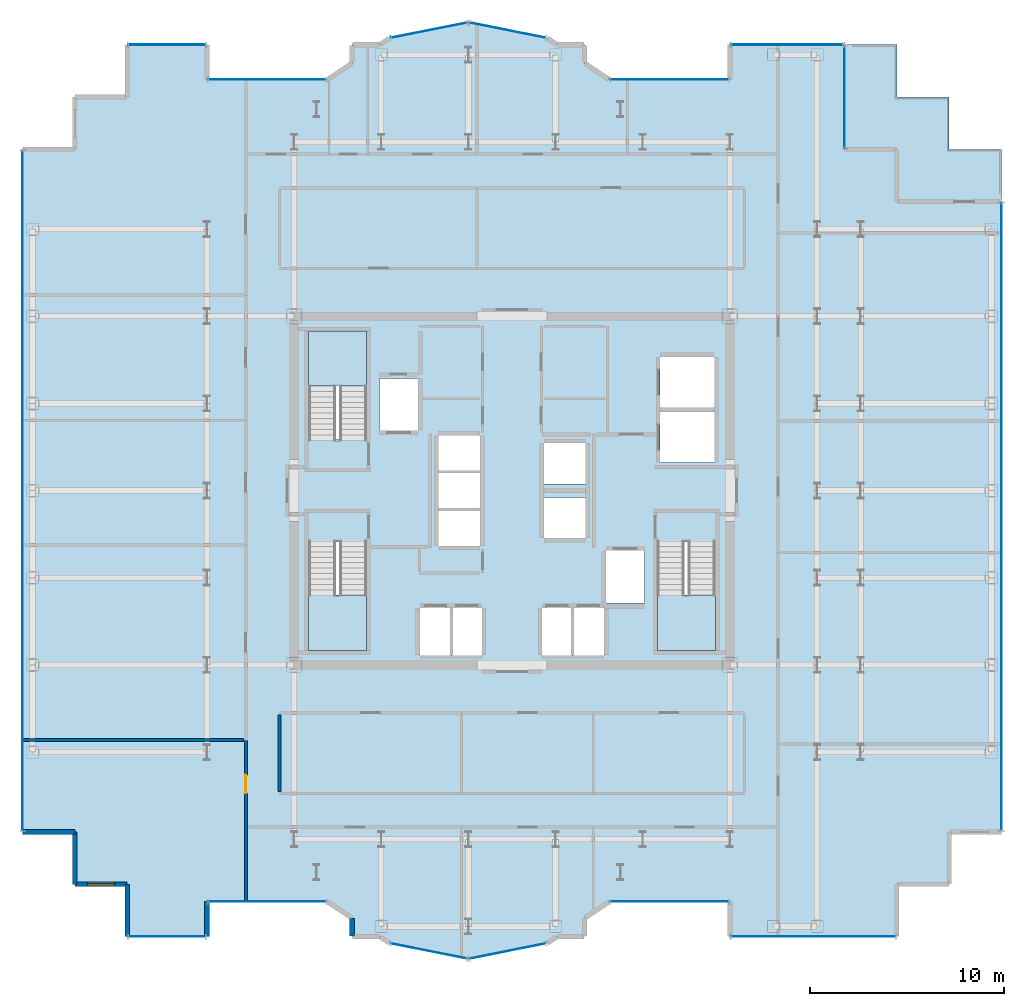
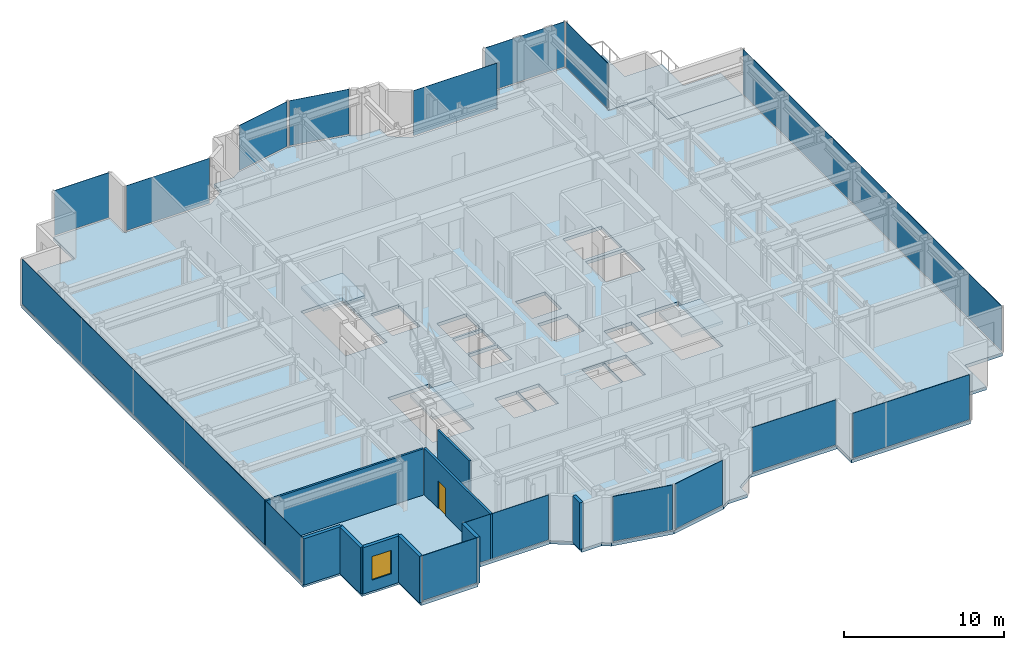
# One storey, part 13 of 20: 15 plates, 9 walls, 5 slabs, 1 door, 1 window, 2 openings, 18 elements without a shape of their own.
"""IFC4 building model written with IfcOpenShell, lengths in metres."""

from ifc_helpers import new_model, si_unit, direction, frame, frame_2d, origin, origin_2d, place, context, subcontext, project, spatial, polyline, rectangle, outline, extrude, source, transform, mapped, material, layer, layer_set, type_object, element, fill, aggregate, save


model = new_model("IFC4")

# Units and contexts
model_context = context("Model", 3, precision=1e-05, world=origin(), true_north=direction((0.0, 1.0)))
body_context = subcontext(model_context, "Body", "Model", "MODEL_VIEW")
ifc_project = project(units=[si_unit("LENGTHUNIT", "METRE"), si_unit("AREAUNIT", "SQUARE_METRE"), si_unit("VOLUMEUNIT", "CUBIC_METRE"), si_unit("PLANEANGLEUNIT", "RADIAN"), si_unit("MASSUNIT", "GRAM", prefix="KILO")], contexts=[model_context])

# Site, building, storey
site_placement = place(None, origin())
site = spatial("IfcSite", under=ifc_project, at=site_placement, CompositionType="ELEMENT")
building_placement = place(site_placement, origin())
building = spatial("IfcBuilding", under=site, at=building_placement, Name="Nefas-Gora Pilgrimage Tower", CompositionType="ELEMENT")
storey_placement = place(building_placement, frame((0.0, 0.0, 221.800048828125)))
storey = spatial("IfcBuildingStorey", under=building, at=storey_placement, Name="L55", CompositionType="ELEMENT", Elevation=221.800048828125)

# Slabs
ifc_material_1 = material(Name="Concrete C40/50", Category="concrete")
ifc_layer_1 = layer(ifc_material_1, 0.239990234375)
ifc_layer_set_1 = layer_set([ifc_layer_1], Name="Concrete C40/50")
slab_type_1 = type_object("IfcSlabType", Name="SLB-TER-SP-NE", PredefinedType="FLOOR", material=ifc_layer_set_1)
slab_1_placement = place(storey_placement, frame((0.0, 0.0, -0.239990234375)))
element("IfcSlab", 1, at=slab_1_placement, inside=storey, type_object=slab_type_1, Name="L55 Outdoor Sky Terrace Slab TER-SP-NE", PredefinedType="FLOOR", context=body_context, shape_type="SweptSolid", body=[
    extrude(outline(polyline([(17.169921875, 23.02001953125), (17.169921875, 17.6201171875), (19.8701171875, 17.6201171875), (19.8701171875, 14.919921875), (25.27001953125, 14.919921875), (25.27001953125, 17.6201171875), (22.570068359375, 17.6201171875), (22.570068359375, 20.320068359375), (19.8701171875, 20.320068359375), (19.8701171875, 23.02001953125), (17.169921875, 23.02001953125)])), origin(), (0.0, 0.0, 1.0), 0.239990234375),
])
ifc_layer_2 = layer(ifc_material_1, 0.25)
ifc_layer_set_2 = layer_set([ifc_layer_2], Name="Concrete C40/50")
slab_type_2 = type_object("IfcSlabType", Name="SLB-TWR-260", PredefinedType="FLOOR", material=ifc_layer_set_2)
slab_2_placement = place(storey_placement, frame((0.0, 0.0, -0.25)))
element("IfcSlab", 2, at=slab_2_placement, inside=storey, type_object=slab_type_2, Name="L55 Structural Floor Slab", PredefinedType="FLOOR", context=body_context, shape_type="SweptSolid", body=[
    extrude(outline(polyline([(5.01806640625, -21.219970703125), (11.25, -21.219970703125), (11.25, -23.02001953125), (19.8701171875, -23.02001953125), (19.8701171875, -20.320068359375), (22.570068359375, -20.320068359375), (22.570068359375, -17.6201171875), (25.27001953125, -17.6201171875), (25.27001953125, 14.919921875), (19.8701171875, 14.919921875), (19.8701171875, 17.6201171875), (17.169921875, 17.6201171875), (17.169921875, 23.02001953125), (11.25, 23.02001953125), (11.25, 21.219970703125), (5.01806640625, 21.219970703125), (3.75, 22.0673828125), (3.75, 23.02001953125), (2.32421875, 23.02001953125), (1.807373046875, 23.365234375), (-2.25, 24.17236328125), (-6.307373046875, 23.365234375), (-6.82421875, 23.02001953125), (-8.25, 23.02001953125), (-8.25, 22.0673828125), (-9.51806640625, 21.219970703125), (-15.75, 21.219970703125), (-15.75, 23.02001953125), (-19.8701171875, 23.02001953125), (-19.8701171875, 20.320068359375), (-22.570068359375, 20.320068359375), (-22.570068359375, 17.6201171875), (-25.27001953125, 17.6201171875), (-25.27001953125, -17.6201171875), (-22.570068359375, -17.6201171875), (-22.570068359375, -20.320068359375), (-19.8701171875, -20.320068359375), (-19.8701171875, -23.02001953125), (-15.75, -23.02001953125), (-15.75, -21.219970703125), (-9.51806640625, -21.219970703125), (-8.25, -22.0673828125), (-8.25, -23.02001953125), (-6.82421875, -23.02001953125), (-6.307373046875, -23.365234375), (-2.25, -24.17236328125), (1.807373046875, -23.365234375), (2.32421875, -23.02001953125), (3.75, -23.02001953125), (3.75, -22.0673828125), (5.01806640625, -21.219970703125)]), holes=[polyline([(-10.5, 2.639892578125), (-10.5, 8.25), (-7.5, 8.25), (-7.5, 2.639892578125), (-10.5, 2.639892578125)]), polyline([(10.5, -2.639892578125), (10.5, -8.25), (7.5, -8.25), (7.5, -2.639892578125), (10.5, -2.639892578125)]), polyline([(-7.5, -2.639892578125), (-7.5, -8.25), (-10.5, -8.25), (-10.5, -2.639892578125), (-7.5, -2.639892578125)]), polyline([(-6.85009765625, 5.800048828125), (-4.85009765625, 5.800048828125), (-4.85009765625, 3.10009765625), (-6.85009765625, 3.10009765625), (-6.85009765625, 5.800048828125)]), polyline([(4.85009765625, -3.10009765625), (6.85009765625, -3.10009765625), (6.85009765625, -5.800048828125), (4.85009765625, -5.800048828125), (4.85009765625, -3.10009765625)]), polyline([(7.64990234375, 4.050048828125), (10.449951171875, 4.050048828125), (10.449951171875, 1.449951171875), (7.64990234375, 1.449951171875), (7.64990234375, 4.050048828125)]), polyline([(7.64990234375, 6.89990234375), (10.449951171875, 6.89990234375), (10.449951171875, 4.300048828125), (7.64990234375, 4.300048828125), (7.64990234375, 6.89990234375)]), polyline([(-4.75, -6.050048828125), (-3.14990234375, -6.050048828125), (-3.14990234375, -8.5), (-4.75, -8.5), (-4.75, -6.050048828125)]), polyline([(-3.10009765625, -6.050048828125), (-1.550048828125, -6.050048828125), (-1.550048828125, -8.5), (-3.10009765625, -8.5), (-3.10009765625, -6.050048828125)]), polyline([(1.550048828125, -6.050048828125), (3.10009765625, -6.050048828125), (3.10009765625, -8.5), (1.550048828125, -8.5), (1.550048828125, -6.050048828125)]), polyline([(3.14990234375, -6.050048828125), (4.75, -6.050048828125), (4.75, -8.5), (3.14990234375, -8.5), (3.14990234375, -6.050048828125)]), polyline([(-3.800048828125, -1.050048828125), (-1.64990234375, -1.050048828125), (-1.64990234375, -2.85009765625), (-3.800048828125, -2.85009765625), (-3.800048828125, -1.050048828125)]), polyline([(-3.800048828125, 0.89990234375), (-1.64990234375, 0.89990234375), (-1.64990234375, -0.89990234375), (-3.800048828125, -0.89990234375), (-3.800048828125, 0.89990234375)]), polyline([(-3.800048828125, 2.85009765625), (-1.64990234375, 2.85009765625), (-1.64990234375, 1.050048828125), (-3.800048828125, 1.050048828125), (-3.800048828125, 2.85009765625)]), polyline([(1.64990234375, -0.35009765625), (3.800048828125, -0.35009765625), (3.800048828125, -2.449951171875), (1.64990234375, -2.449951171875), (1.64990234375, -0.35009765625)]), polyline([(1.64990234375, 2.449951171875), (3.800048828125, 2.449951171875), (3.800048828125, 0.35009765625), (1.64990234375, 0.35009765625), (1.64990234375, 2.449951171875)])]), origin(), (0.0, 0.0, 1.0), 0.25),
])

# Stair, slab
ifc_material_2 = material(Name="Concrete C45/55", Category="concrete")
stair_type = type_object("IfcStairType", Name="STR-1400-R1727", PredefinedType="HALF_TURN_STAIR", material=ifc_material_2)
stair_1_placement = place(storey_placement, origin())
stair_1 = element("IfcStair", 3, at=stair_1_placement, inside=storey, type_object=stair_type, Name="L55 Pressurised Tower Exit Stair ST-01", PredefinedType="HALF_TURN_STAIR")
ifc_layer_3 = layer(ifc_material_1, 0.199951171875)
ifc_layer_set_3 = layer_set([ifc_layer_3], Name="Concrete C40/50")
slab_type_3 = type_object("IfcSlabType", Name="STR-LAND-200", PredefinedType="LANDING", material=ifc_layer_set_3)
slab_3_placement = place(storey_placement, frame((0.0, 0.0, 1.699951171875)))
slab_3 = element("IfcSlab", 4, at=slab_3_placement, type_object=slab_type_3, Name="ST-01 landing 1", PredefinedType="LANDING", context=body_context, shape_type="SweptSolid", body=[
    extrude(outline(polyline([(-7.5, 5.39990234375), (-7.5, 8.25), (-10.5, 8.25), (-10.5, 5.39990234375), (-7.5, 5.39990234375)])), origin(), (0.0, 0.0, 1.0), 0.199951171875),
])
aggregate(stair_1, [slab_3])

stair_2_placement = place(storey_placement, origin())
stair_2 = element("IfcStair", 5, at=stair_2_placement, inside=storey, type_object=stair_type, Name="L55 Pressurised Tower Exit Stair ST-02", PredefinedType="HALF_TURN_STAIR")
slab_4_placement = place(storey_placement, frame((0.0, 0.0, 1.699951171875)))
slab_4 = element("IfcSlab", 6, at=slab_4_placement, type_object=slab_type_3, Name="ST-02 landing 1", PredefinedType="LANDING", context=body_context, shape_type="SweptSolid", body=[
    extrude(outline(polyline([(7.5, -5.39990234375), (7.5, -8.25), (10.5, -8.25), (10.5, -5.39990234375), (7.5, -5.39990234375)])), origin(), (0.0, 0.0, 1.0), 0.199951171875),
])
aggregate(stair_2, [slab_4])

stair_3_placement = place(storey_placement, origin())
stair_3 = element("IfcStair", 7, at=stair_3_placement, inside=storey, type_object=stair_type, Name="L55 Pressurised Tower Exit Stair ST-03", PredefinedType="HALF_TURN_STAIR")
slab_5_placement = place(storey_placement, frame((0.0, 0.0, 1.699951171875)))
slab_5 = element("IfcSlab", 8, at=slab_5_placement, type_object=slab_type_3, Name="ST-03 landing 1", PredefinedType="LANDING", context=body_context, shape_type="SweptSolid", body=[
    extrude(outline(polyline([(-10.5, -5.39990234375), (-10.5, -8.25), (-7.5, -8.25), (-7.5, -5.39990234375), (-10.5, -5.39990234375)])), origin(), (0.0, 0.0, 1.0), 0.199951171875),
])
aggregate(stair_3, [slab_5])

# Curtain wall, plate
ifc_material_3 = material(Name="Dark ceramic-fritted solar-control aluminium-glass curtain wall", Category="aluminium")
ifc_layer_4 = layer(ifc_material_3, 0.219970703125)
ifc_layer_set_4 = layer_set([ifc_layer_4], Name="Dark ceramic-fritted solar-control aluminium-glass curtain wall")
curtain_wall_type_1 = type_object("IfcCurtainWallType", Name="CW-SYS-5", PredefinedType="NOTDEFINED", material=ifc_layer_set_4)
curtain_wall_1_placement = place(storey_placement, origin())
curtain_wall_1 = element("IfcCurtainWall", 9, at=curtain_wall_1_placement, inside=storey, type_object=curtain_wall_type_1, Name="L55 Unitised Curtain Wall CW5", PredefinedType="NOTDEFINED")
ifc_material_4 = material(Name="Dark ceramic-printed low-e insulated glass", Category="glass")
ifc_layer_5 = layer(ifc_material_4, 0.028076171875)
ifc_layer_set_5 = layer_set([ifc_layer_5], Name="Dark ceramic-printed low-e insulated glass")
plate_type_1 = type_object("IfcPlateType", Name="CWP-PNL-5", PredefinedType="CURTAIN_PANEL", material=ifc_layer_set_5)
shared_shape_1 = source(origin(), body_context, "Body", "SweptSolid", [
    extrude(rectangle(XDim=6.052001953125, YDim=0.028076171875, at=origin_2d()), origin(), (0.0, 0.0, 1.0), 3.43994140625),
])
plate_1_placement = place(storey_placement, frame((8.134033203125, -21.219970703125, 0.10009765625), z_axis=(0.0, 0.0, 1.0), x_axis=(1.0, 0.0, 0.0)))
plate_1 = element("IfcPlate", 10, at=plate_1_placement, type_object=plate_type_1, Name="CW5 Ceramic-Fritted Glazing Panel 1", PredefinedType="CURTAIN_PANEL", context=body_context, shape_type="MappedRepresentation", body=[
    mapped(shared_shape_1, transform((0.0, 0.0, 0.0), x_axis=(1.0, 0.0, 0.0), y_axis=(0.0, 1.0, 0.0), z_axis=(0.0, 0.0, 1.0), scale=1.0)),
])
aggregate(curtain_wall_1, [plate_1])

curtain_wall_2_placement = place(storey_placement, origin())
curtain_wall_2 = element("IfcCurtainWall", 11, at=curtain_wall_2_placement, inside=storey, type_object=curtain_wall_type_1, Name="L55 Unitised Curtain Wall CW5", PredefinedType="NOTDEFINED")
plate_2_placement = place(storey_placement, frame((8.134033203125, 21.219970703125, 0.10009765625), z_axis=(0.0, 0.0, 1.0), x_axis=(-1.0, 0.0, 0.0)))
plate_2 = element("IfcPlate", 12, at=plate_2_placement, type_object=plate_type_1, Name="CW5 Ceramic-Fritted Glazing Panel 1", PredefinedType="CURTAIN_PANEL", context=body_context, shape_type="MappedRepresentation", body=[
    mapped(shared_shape_1, transform((0.0, 0.0, 0.0), x_axis=(1.0, 0.0, 0.0), y_axis=(0.0, 1.0, 0.0), z_axis=(0.0, 0.0, 1.0), scale=1.0)),
])
aggregate(curtain_wall_2, [plate_2])

curtain_wall_3_placement = place(storey_placement, origin())
curtain_wall_3 = element("IfcCurtainWall", 13, at=curtain_wall_3_placement, inside=storey, type_object=curtain_wall_type_1, Name="L55 Unitised Curtain Wall CW5", PredefinedType="NOTDEFINED")
plate_3_placement = place(storey_placement, frame((-12.634033203125, 21.219970703125, 0.10009765625), z_axis=(0.0, 0.0, 1.0), x_axis=(-1.0, 0.0, 0.0)))
plate_3 = element("IfcPlate", 14, at=plate_3_placement, type_object=plate_type_1, Name="CW5 Ceramic-Fritted Glazing Panel 1", PredefinedType="CURTAIN_PANEL", context=body_context, shape_type="MappedRepresentation", body=[
    mapped(shared_shape_1, transform((0.0, 0.0, 0.0), x_axis=(1.0, 0.0, 0.0), y_axis=(0.0, 1.0, 0.0), z_axis=(0.0, 0.0, 1.0), scale=1.0)),
])
aggregate(curtain_wall_3, [plate_3])

curtain_wall_4_placement = place(storey_placement, origin())
curtain_wall_4 = element("IfcCurtainWall", 15, at=curtain_wall_4_placement, inside=storey, type_object=curtain_wall_type_1, Name="L55 Unitised Curtain Wall CW5", PredefinedType="NOTDEFINED")
plate_4_placement = place(storey_placement, frame((-12.634033203125, -21.219970703125, 0.10009765625), z_axis=(0.0, 0.0, 1.0), x_axis=(1.0, 0.0, 0.0)))
plate_4 = element("IfcPlate", 16, at=plate_4_placement, type_object=plate_type_1, Name="CW5 Ceramic-Fritted Glazing Panel 1", PredefinedType="CURTAIN_PANEL", context=body_context, shape_type="MappedRepresentation", body=[
    mapped(shared_shape_1, transform((0.0, 0.0, 0.0), x_axis=(1.0, 0.0, 0.0), y_axis=(0.0, 1.0, 0.0), z_axis=(0.0, 0.0, 1.0), scale=1.0)),
])
aggregate(curtain_wall_4, [plate_4])

curtain_wall_5_placement = place(storey_placement, origin())
curtain_wall_5 = element("IfcCurtainWall", 17, at=curtain_wall_5_placement, inside=storey, type_object=curtain_wall_type_1, Name="L55 Unitised Curtain Wall CW5", PredefinedType="NOTDEFINED")
shared_shape_2 = source(origin(), body_context, "Body", "SweptSolid", [
    extrude(rectangle(XDim=3.956787109375, YDim=0.028076171875, at=origin_2d()), origin(), (0.0, 0.0, 1.0), 3.43994140625),
])
plate_5_placement = place(storey_placement, frame((-0.22119140625, 23.768798828125, 0.10009765625), z_axis=(0.0, 0.0, 1.0), x_axis=(-0.980782896852, 0.195102304554, 0.0)))
plate_5 = element("IfcPlate", 18, at=plate_5_placement, type_object=plate_type_1, Name="CW5 Ceramic-Fritted Glazing Panel 1", PredefinedType="CURTAIN_PANEL", context=body_context, shape_type="MappedRepresentation", body=[
    mapped(shared_shape_2, transform((0.0, 0.0, 0.0), x_axis=(1.0, 0.0, 0.0), y_axis=(0.0, 1.0, 0.0), z_axis=(0.0, 0.0, 1.0), scale=1.0)),
])
aggregate(curtain_wall_5, [plate_5])

curtain_wall_6_placement = place(storey_placement, origin())
curtain_wall_6 = element("IfcCurtainWall", 19, at=curtain_wall_6_placement, inside=storey, type_object=curtain_wall_type_1, Name="L55 Unitised Curtain Wall CW5", PredefinedType="NOTDEFINED")
plate_6_placement = place(storey_placement, frame((-4.278564453125, 23.768798828125, 0.10009765625), z_axis=(0.0, 0.0, 1.0), x_axis=(-0.980782896852, -0.195102304554, 0.0)))
plate_6 = element("IfcPlate", 20, at=plate_6_placement, type_object=plate_type_1, Name="CW5 Ceramic-Fritted Glazing Panel 1", PredefinedType="CURTAIN_PANEL", context=body_context, shape_type="MappedRepresentation", body=[
    mapped(shared_shape_2, transform((0.0, 0.0, 0.0), x_axis=(1.0, 0.0, 0.0), y_axis=(0.0, 1.0, 0.0), z_axis=(0.0, 0.0, 1.0), scale=1.0)),
])
aggregate(curtain_wall_6, [plate_6])

curtain_wall_7_placement = place(storey_placement, origin())
curtain_wall_7 = element("IfcCurtainWall", 21, at=curtain_wall_7_placement, inside=storey, type_object=curtain_wall_type_1, Name="L55 Unitised Curtain Wall CW5", PredefinedType="NOTDEFINED")
plate_7_placement = place(storey_placement, frame((-4.278564453125, -23.768798828125, 0.10009765625), z_axis=(0.0, 0.0, 1.0), x_axis=(0.980782896852, -0.195102304554, 0.0)))
plate_7 = element("IfcPlate", 22, at=plate_7_placement, type_object=plate_type_1, Name="CW5 Ceramic-Fritted Glazing Panel 1", PredefinedType="CURTAIN_PANEL", context=body_context, shape_type="MappedRepresentation", body=[
    mapped(shared_shape_2, transform((0.0, 0.0, 0.0), x_axis=(1.0, 0.0, 0.0), y_axis=(0.0, 1.0, 0.0), z_axis=(0.0, 0.0, 1.0), scale=1.0)),
])
aggregate(curtain_wall_7, [plate_7])

curtain_wall_8_placement = place(storey_placement, origin())
curtain_wall_8 = element("IfcCurtainWall", 23, at=curtain_wall_8_placement, inside=storey, type_object=curtain_wall_type_1, Name="L55 Unitised Curtain Wall CW5", PredefinedType="NOTDEFINED")
plate_8_placement = place(storey_placement, frame((-0.221435546875, -23.768798828125, 0.10009765625), z_axis=(0.0, 0.0, 1.0), x_axis=(0.980782896852, 0.195102304554, 0.0)))
plate_8 = element("IfcPlate", 24, at=plate_8_placement, type_object=plate_type_1, Name="CW5 Ceramic-Fritted Glazing Panel 1", PredefinedType="CURTAIN_PANEL", context=body_context, shape_type="MappedRepresentation", body=[
    mapped(shared_shape_2, transform((0.0, 0.0, 0.0), x_axis=(1.0, 0.0, 0.0), y_axis=(0.0, 1.0, 0.0), z_axis=(0.0, 0.0, 1.0), scale=1.0)),
])
aggregate(curtain_wall_8, [plate_8])

ifc_layer_6 = layer(ifc_material_3, 0.219970703125)
ifc_layer_set_6 = layer_set([ifc_layer_6], Name="Dark ceramic-fritted solar-control aluminium-glass curtain wall")
curtain_wall_type_2 = type_object("IfcCurtainWallType", Name="CW-SYS-3", PredefinedType="NOTDEFINED", material=ifc_layer_set_6)
curtain_wall_9_placement = place(storey_placement, origin())
curtain_wall_9 = element("IfcCurtainWall", 25, at=curtain_wall_9_placement, inside=storey, type_object=curtain_wall_type_2, Name="L55 Unitised Curtain Wall CW3", PredefinedType="NOTDEFINED")
ifc_layer_7 = layer(ifc_material_4, 0.033935546875)
ifc_layer_set_7 = layer_set([ifc_layer_7], Name="Dark ceramic-printed low-e insulated glass")
plate_type_2 = type_object("IfcPlateType", Name="CWP-PNL-3", PredefinedType="CURTAIN_PANEL", material=ifc_layer_set_7)
shared_shape_3 = source(origin(), body_context, "Body", "SweptSolid", [
    extrude(rectangle(XDim=8.43994140625, YDim=0.033935546875, at=origin_2d()), origin(), (0.0, 0.0, 1.0), 3.43994140625),
])
plate_9_placement = place(storey_placement, frame((15.56005859375, -23.02001953125, 0.10009765625), z_axis=(0.0, 0.0, 1.0), x_axis=(1.0, 0.0, 0.0)))
plate_9 = element("IfcPlate", 26, at=plate_9_placement, type_object=plate_type_2, Name="CW3 Ceramic-Fritted Glazing Panel 1", PredefinedType="CURTAIN_PANEL", context=body_context, shape_type="MappedRepresentation", body=[
    mapped(shared_shape_3, transform((0.0, 0.0, 0.0), x_axis=(1.0, 0.0, 0.0), y_axis=(0.0, 1.0, 0.0), z_axis=(0.0, 0.0, 1.0), scale=1.0)),
])
aggregate(curtain_wall_9, [plate_9])

curtain_wall_10_placement = place(storey_placement, origin())
curtain_wall_10 = element("IfcCurtainWall", 27, at=curtain_wall_10_placement, inside=storey, type_object=curtain_wall_type_2, Name="L55 Unitised Curtain Wall CW3", PredefinedType="NOTDEFINED")
shared_shape_4 = source(origin(), body_context, "Body", "SweptSolid", [
    extrude(rectangle(XDim=35.06005859375, YDim=0.033935546875, at=origin_2d()), origin(), (0.0, 0.0, 1.0), 3.43994140625),
])
plate_10_placement = place(storey_placement, frame((-25.27001953125, 0.0, 0.10009765625), z_axis=(0.0, 0.0, 1.0), x_axis=(0.0, -1.0, 0.0)))
plate_10 = element("IfcPlate", 28, at=plate_10_placement, type_object=plate_type_2, Name="CW3 Ceramic-Fritted Glazing Panel 1", PredefinedType="CURTAIN_PANEL", context=body_context, shape_type="MappedRepresentation", body=[
    mapped(shared_shape_4, transform((0.0, 0.0, 0.0), x_axis=(1.0, 0.0, 0.0), y_axis=(0.0, 1.0, 0.0), z_axis=(0.0, 0.0, 1.0), scale=1.0)),
])
aggregate(curtain_wall_10, [plate_10])

curtain_wall_11_placement = place(storey_placement, origin())
curtain_wall_11 = element("IfcCurtainWall", 29, at=curtain_wall_11_placement, inside=storey, type_object=curtain_wall_type_2, Name="L55 Unitised Curtain Wall CW3", PredefinedType="NOTDEFINED")
shared_shape_5 = source(origin(), body_context, "Body", "SweptSolid", [
    extrude(rectangle(XDim=32.360107421875, YDim=0.033935546875, at=origin_2d()), origin(), (0.0, 0.0, 1.0), 3.43994140625),
])
plate_11_placement = place(storey_placement, frame((25.27001953125, -1.35009765625, 0.10009765625), z_axis=(0.0, 0.0, 1.0), x_axis=(0.0, 1.0, 0.0)))
plate_11 = element("IfcPlate", 30, at=plate_11_placement, type_object=plate_type_2, Name="CW3 Ceramic-Fritted Glazing Panel 1", PredefinedType="CURTAIN_PANEL", context=body_context, shape_type="MappedRepresentation", body=[
    mapped(shared_shape_5, transform((0.0, 0.0, 0.0), x_axis=(1.0, 0.0, 0.0), y_axis=(0.0, 1.0, 0.0), z_axis=(0.0, 0.0, 1.0), scale=1.0)),
])
aggregate(curtain_wall_11, [plate_11])

curtain_wall_12_placement = place(storey_placement, origin())
curtain_wall_12 = element("IfcCurtainWall", 31, at=curtain_wall_12_placement, inside=storey, type_object=curtain_wall_type_2, Name="L55 Unitised Curtain Wall CW3", PredefinedType="NOTDEFINED")
shared_shape_6 = source(origin(), body_context, "Body", "SweptSolid", [
    extrude(rectangle(XDim=5.219970703125, YDim=0.033935546875, at=origin_2d()), origin(), (0.0, 0.0, 1.0), 3.43994140625),
])
plate_12_placement = place(storey_placement, frame((17.169921875, 20.320068359375, 0.10009765625), z_axis=(0.0, 0.0, 1.0), x_axis=(0.0, 1.0, 0.0)))
plate_12 = element("IfcPlate", 32, at=plate_12_placement, type_object=plate_type_2, Name="CW3 Ceramic-Fritted Glazing Panel 1", PredefinedType="CURTAIN_PANEL", context=body_context, shape_type="MappedRepresentation", body=[
    mapped(shared_shape_6, transform((0.0, 0.0, 0.0), x_axis=(1.0, 0.0, 0.0), y_axis=(0.0, 1.0, 0.0), z_axis=(0.0, 0.0, 1.0), scale=1.0)),
])
aggregate(curtain_wall_12, [plate_12])

curtain_wall_13_placement = place(storey_placement, origin())
curtain_wall_13 = element("IfcCurtainWall", 33, at=curtain_wall_13_placement, inside=storey, type_object=curtain_wall_type_2, Name="L55 Unitised Curtain Wall CW3", PredefinedType="NOTDEFINED")
shared_shape_7 = source(origin(), body_context, "Body", "SweptSolid", [
    extrude(rectangle(XDim=5.739990234375, YDim=0.033935546875, at=origin_2d()), origin(), (0.0, 0.0, 1.0), 3.43994140625),
])
plate_13_placement = place(storey_placement, frame((14.2099609375, 23.02001953125, 0.10009765625), z_axis=(0.0, 0.0, 1.0), x_axis=(-1.0, 0.0, 0.0)))
plate_13 = element("IfcPlate", 34, at=plate_13_placement, type_object=plate_type_2, Name="CW3 Ceramic-Fritted Glazing Panel 1", PredefinedType="CURTAIN_PANEL", context=body_context, shape_type="MappedRepresentation", body=[
    mapped(shared_shape_7, transform((0.0, 0.0, 0.0), x_axis=(1.0, 0.0, 0.0), y_axis=(0.0, 1.0, 0.0), z_axis=(0.0, 0.0, 1.0), scale=1.0)),
])
aggregate(curtain_wall_13, [plate_13])

curtain_wall_14_placement = place(storey_placement, origin())
curtain_wall_14 = element("IfcCurtainWall", 35, at=curtain_wall_14_placement, inside=storey, type_object=curtain_wall_type_2, Name="L55 Unitised Curtain Wall CW3", PredefinedType="NOTDEFINED")
shared_shape_8 = source(origin(), body_context, "Body", "SweptSolid", [
    extrude(rectangle(XDim=3.93994140625, YDim=0.033935546875, at=origin_2d()), origin(), (0.0, 0.0, 1.0), 3.43994140625),
])
plate_14_placement = place(storey_placement, frame((-17.81005859375, 23.02001953125, 0.10009765625), z_axis=(0.0, 0.0, 1.0), x_axis=(-1.0, 0.0, 0.0)))
plate_14 = element("IfcPlate", 36, at=plate_14_placement, type_object=plate_type_2, Name="CW3 Ceramic-Fritted Glazing Panel 1", PredefinedType="CURTAIN_PANEL", context=body_context, shape_type="MappedRepresentation", body=[
    mapped(shared_shape_8, transform((0.0, 0.0, 0.0), x_axis=(1.0, 0.0, 0.0), y_axis=(0.0, 1.0, 0.0), z_axis=(0.0, 0.0, 1.0), scale=1.0)),
])
aggregate(curtain_wall_14, [plate_14])

curtain_wall_15_placement = place(storey_placement, origin())
curtain_wall_15 = element("IfcCurtainWall", 37, at=curtain_wall_15_placement, inside=storey, type_object=curtain_wall_type_2, Name="L55 Unitised Curtain Wall CW3", PredefinedType="NOTDEFINED")
plate_15_placement = place(storey_placement, frame((-17.81005859375, -23.02001953125, 0.10009765625), z_axis=(0.0, 0.0, 1.0), x_axis=(1.0, 0.0, 0.0)))
plate_15 = element("IfcPlate", 38, at=plate_15_placement, type_object=plate_type_2, Name="CW3 Ceramic-Fritted Glazing Panel 1", PredefinedType="CURTAIN_PANEL", context=body_context, shape_type="MappedRepresentation", body=[
    mapped(shared_shape_8, transform((0.0, 0.0, 0.0), x_axis=(1.0, 0.0, 0.0), y_axis=(0.0, 1.0, 0.0), z_axis=(0.0, 0.0, 1.0), scale=1.0)),
])
aggregate(curtain_wall_15, [plate_15])

# Walls
ifc_material_5 = material(Name="Precast concrete C40/50", Category="concrete")
ifc_layer_8 = layer(ifc_material_5, 0.260009765625)
ifc_layer_set_8 = layer_set([ifc_layer_8], Name="Precast concrete C40/50")
wall_type_1 = type_object("IfcWallType", Name="EW-PORTAL-260", PredefinedType="SOLIDWALL", material=ifc_layer_set_8)
shared_shape_9 = source(origin(), body_context, "Body", "SweptSolid", [
    extrude(rectangle(XDim=1.800048828125, YDim=0.260009765625, at=frame_2d((0.89990234375, 0.0))), origin(), (0.0, 0.0, 1.0), 3.550048828125),
])
wall_1_placement = place(storey_placement, frame((-15.75, -23.02001953125, 0.0), z_axis=(0.0, 0.0, 1.0), x_axis=(0.0, 1.0, 0.0)))
element("IfcWall", 39, at=wall_1_placement, inside=storey, type_object=wall_type_1, Name="L55 Lobe Shoulder Precast Spandrel Pier 27", PredefinedType="SOLIDWALL", context=body_context, shape_type="MappedRepresentation", body=[
    mapped(shared_shape_9, transform((0.0, 0.0, 0.0), x_axis=(1.0, 0.0, 0.0), y_axis=(0.0, 1.0, 0.0), z_axis=(0.0, 0.0, 1.0), scale=1.0)),
])
ifc_material_6 = material(Name="Precast concrete C45/55", Category="concrete")
ifc_layer_9 = layer(ifc_material_6, 0.239990234375)
ifc_layer_set_9 = layer_set([ifc_layer_9], Name="Precast concrete C45/55")
wall_type_2 = type_object("IfcWallType", Name="EW-SERR-240", PredefinedType="SHEAR", material=ifc_layer_set_9)
shared_shape_10 = source(origin(), body_context, "Body", "SweptSolid", [
    extrude(rectangle(XDim=2.699951171875, YDim=0.239990234375, at=frame_2d((1.35009765625, 0.0))), origin(), (0.0, 0.0, 1.0), 3.550048828125),
])
for number, where, z_axis, x_axis, name in (
    (40, (-25.27001953125, -17.6201171875, 0.0), (0.0, 0.0, 1.0), (1.0, 0.0, 0.0), "L55 Serrated Corner Shear Pier Wall 23"),
    (41, (-22.570068359375, -17.6201171875, 0.0), (0.0, 0.0, 1.0), (0.0, -1.0, 0.0), "L55 Serrated Corner Shear Pier Wall 24"),
):
    element("IfcWall", number, at=place(storey_placement, frame(where, z_axis=z_axis, x_axis=x_axis)), inside=storey, type_object=wall_type_2, Name=name, PredefinedType="SHEAR", context=body_context, shape_type="MappedRepresentation", body=[
        mapped(shared_shape_10, transform((0.0, 0.0, 0.0), x_axis=(1.0, 0.0, 0.0), y_axis=(0.0, 1.0, 0.0), z_axis=(0.0, 0.0, 1.0), scale=1.0)),
    ])

# Wall, opening, window
wall_2_placement = place(storey_placement, frame((-22.570068359375, -20.320068359375, 0.0), z_axis=(0.0, 0.0, 1.0), x_axis=(1.0, 0.0, 0.0)))
wall_2 = element("IfcWall", 42, at=wall_2_placement, inside=storey, type_object=wall_type_2, Name="L55 Serrated Corner Shear Pier Wall 25", PredefinedType="SHEAR", context=body_context, shape_type="MappedRepresentation", body=[
    mapped(shared_shape_10, transform((0.0, 0.0, 0.0), x_axis=(1.0, 0.0, 0.0), y_axis=(0.0, 1.0, 0.0), z_axis=(0.0, 0.0, 1.0), scale=1.0)),
])
opening_1_placement = place(wall_2_placement, frame((0.64990234375, 0.0, 0.85009765625)))
opening_1 = element("IfcOpeningElement", 43, at=opening_1_placement, cuts=wall_2, Name="Opening W-V2", PredefinedType="OPENING", context=body_context, shape_type="SweptSolid", body=[
    extrude(rectangle(XDim=1.39990234375, YDim=1.800048828125, at=frame_2d((0.699951171875, 0.89990234375))), frame((0.0, 0.1298828125, 0.0), z_axis=(0.0, -1.0, 0.0), x_axis=(1.0, 0.0, 0.0)), (0.0, 0.0, 1.0), 0.260009765625),
])
ifc_material_7 = material(Name="Dark ceramic-fritted operable aluminium-glass window", Category="aluminium")
window_type = type_object("IfcWindowType", Name="WIN-VENT-1400x1800", PartitioningType="SINGLE_PANEL", PredefinedType="WINDOW", material=ifc_material_7)
shared_shape_11 = source(origin(), body_context, "Body", "SweptSolid", [
    extrude(rectangle(XDim=1.39990234375, YDim=1.800048828125, at=frame_2d((0.699951171875, 0.89990234375))), frame((0.0, 0.030029296875, 0.0), z_axis=(0.0, -1.0, 0.0), x_axis=(1.0, 0.0, 0.0)), (0.0, 0.0, 1.0), 0.06005859375),
])
window_placement = place(opening_1_placement, origin())
window = element("IfcWindow", 44, at=window_placement, inside=storey, type_object=window_type, Name="L55 Operable Parallel-Outswing Window 25", OverallHeight=1.800048828125, OverallWidth=1.39990234375, PartitioningType="SINGLE_PANEL", PredefinedType="WINDOW", context=body_context, shape_type="MappedRepresentation", body=[
    mapped(shared_shape_11, transform((0.0, 0.0, 0.0), x_axis=(1.0, 0.0, 0.0), y_axis=(0.0, 1.0, 0.0), z_axis=(0.0, 0.0, 1.0), scale=1.0)),
])
fill(opening_1, window)

# Walls
wall_3_placement = place(storey_placement, frame((-19.8701171875, -20.320068359375, 0.0), z_axis=(0.0, 0.0, 1.0), x_axis=(0.0, -1.0, 0.0)))
element("IfcWall", 45, at=wall_3_placement, inside=storey, type_object=wall_type_2, Name="L55 Serrated Corner Shear Pier Wall 26", PredefinedType="SHEAR", context=body_context, shape_type="MappedRepresentation", body=[
    mapped(shared_shape_10, transform((0.0, 0.0, 0.0), x_axis=(1.0, 0.0, 0.0), y_axis=(0.0, 1.0, 0.0), z_axis=(0.0, 0.0, 1.0), scale=1.0)),
])
shared_shape_12 = source(origin(), body_context, "Body", "SweptSolid", [
    extrude(rectangle(XDim=0.896728515625, YDim=0.260009765625, at=frame_2d((0.4482421875, 0.0))), origin(), (0.0, 0.0, 1.0), 3.550048828125),
])
wall_4_placement = place(storey_placement, frame((-8.25, -22.09521484375, 0.0), z_axis=(0.0, 0.0, 1.0), x_axis=(0.0, -1.0, 0.0)))
element("IfcWall", 46, at=wall_4_placement, inside=storey, type_object=wall_type_1, Name="L55 Lobe Shoulder Precast Spandrel Pier 29", PredefinedType="SOLIDWALL", context=body_context, shape_type="MappedRepresentation", body=[
    mapped(shared_shape_12, transform((0.0, 0.0, 0.0), x_axis=(1.0, 0.0, 0.0), y_axis=(0.0, 1.0, 0.0), z_axis=(0.0, 0.0, 1.0), scale=1.0)),
])
ifc_material_8 = material(Name="Gypsum twin-stud partition")
ifc_layer_10 = layer(ifc_material_8, 0.139892578125)
ifc_layer_set_10 = layer_set([ifc_layer_10], Name="Gypsum twin-stud partition")
wall_type_3 = type_object("IfcWallType", Name="IW-UNIT-140", PredefinedType="PARTITIONING", material=ifc_layer_set_10)
shared_shape_13 = source(origin(), body_context, "Body", "SweptSolid", [
    extrude(rectangle(XDim=11.429931640625, YDim=0.139892578125, at=frame_2d((5.71484375, 0.0))), origin(), (0.0, 0.0, 1.0), 3.534912109375),
])
wall_5_placement = place(storey_placement, frame((-25.2900390625, -12.87744140625, 0.0), z_axis=(0.0, 0.0, 1.0), x_axis=(1.0, 0.0, 0.0)))
element("IfcWall", 47, at=wall_5_placement, inside=storey, type_object=wall_type_3, Name="L55 Pilgrim Floor Concierge Foyer Partition Wall 33", PredefinedType="PARTITIONING", context=body_context, shape_type="MappedRepresentation", body=[
    mapped(shared_shape_13, transform((0.0, 0.0, 0.0), x_axis=(1.0, 0.0, 0.0), y_axis=(0.0, 1.0, 0.0), z_axis=(0.0, 0.0, 1.0), scale=1.0)),
])
shared_shape_14 = source(origin(), body_context, "Body", "SweptSolid", [
    extrude(rectangle(XDim=3.929931640625, YDim=0.139892578125, at=frame_2d((1.96484375, 0.0))), origin(), (0.0, 0.0, 1.0), 3.534912109375),
])
wall_6_placement = place(storey_placement, frame((-12.0, -15.52001953125, 0.0), z_axis=(0.0, 0.0, 1.0), x_axis=(0.0, 1.0, 0.0)))
element("IfcWall", 48, at=wall_6_placement, inside=storey, type_object=wall_type_3, Name="L55 Scripture Reading Study Partition Wall 67", PredefinedType="PARTITIONING", context=body_context, shape_type="MappedRepresentation", body=[
    mapped(shared_shape_14, transform((0.0, 0.0, 0.0), x_axis=(1.0, 0.0, 0.0), y_axis=(0.0, 1.0, 0.0), z_axis=(0.0, 0.0, 1.0), scale=1.0)),
])

# Wall, opening, door
ifc_material_9 = material(Name="Gypsum acoustic stud partition")
ifc_layer_11 = layer(ifc_material_9, 0.159912109375)
ifc_layer_set_11 = layer_set([ifc_layer_11], Name="Gypsum acoustic stud partition")
wall_type_4 = type_object("IfcWallType", Name="IW-CORR-160", PredefinedType="PARTITIONING", material=ifc_layer_set_11)
shared_shape_15 = source(origin(), body_context, "Body", "SweptSolid", [
    extrude(rectangle(XDim=8.3525390625, YDim=0.159912109375, at=frame_2d((4.17626953125, 0.0))), origin(), (0.0, 0.0, 1.0), 3.534912109375),
])
wall_7_placement = place(storey_placement, frame((-13.739990234375, -21.239990234375, 0.0), z_axis=(0.0, 0.0, 1.0), x_axis=(0.0, 1.0, 0.0)))
wall_7 = element("IfcWall", 49, at=wall_7_placement, inside=storey, type_object=wall_type_4, Name="L55 Pilgrim Floor Concierge Foyer Partition Wall 35", PredefinedType="PARTITIONING", context=body_context, shape_type="MappedRepresentation", body=[
    mapped(shared_shape_15, transform((0.0, 0.0, 0.0), x_axis=(1.0, 0.0, 0.0), y_axis=(0.0, 1.0, 0.0), z_axis=(0.0, 0.0, 1.0), scale=1.0)),
])
opening_2_placement = place(wall_7_placement, frame((5.6162109375, 0.0, 0.0)))
opening_2 = element("IfcOpeningElement", 50, at=opening_2_placement, cuts=wall_7, Name="Opening ID-GR1", PredefinedType="OPENING", context=body_context, shape_type="SweptSolid", body=[
    extrude(rectangle(XDim=0.949951171875, YDim=2.10009765625, at=frame_2d((0.47509765625, 1.050048828125))), frame((0.0, 0.08984375, 0.0), z_axis=(0.0, -1.0, 0.0), x_axis=(1.0, 0.0, 0.0)), (0.0, 0.0, 1.0), 0.179931640625),
])
ifc_material_10 = material(Name="Solid core oak fire-rated guest entrance door")
door_type = type_object("IfcDoorType", Name="DR-INT-GUEST-950", OperationType="NOTDEFINED", PredefinedType="DOOR", material=ifc_material_10)
shared_shape_16 = source(origin(), body_context, "Body", "SweptSolid", [
    extrude(rectangle(XDim=0.949951171875, YDim=2.10009765625, at=frame_2d((0.47509765625, 1.050048828125))), frame((0.0, 0.02490234375, 0.0), z_axis=(0.0, -1.0, 0.0), x_axis=(1.0, 0.0, 0.0)), (0.0, 0.0, 1.0), 0.050048828125),
])
door_placement = place(opening_2_placement, origin())
door = element("IfcDoor", 51, at=door_placement, inside=storey, type_object=door_type, Name="L55 Pilgrim Floor Concierge Foyer Door 14", OperationType="SINGLE_SWING_RIGHT", OverallHeight=2.10009765625, OverallWidth=0.949951171875, PredefinedType="DOOR", context=body_context, shape_type="MappedRepresentation", body=[
    mapped(shared_shape_16, transform((0.0, 0.0, 0.0), x_axis=(1.0, 0.0, 0.0), y_axis=(0.0, 1.0, 0.0), z_axis=(0.0, 0.0, 1.0), scale=1.0)),
])
fill(opening_2, door)

save(model, "model.ifc")
